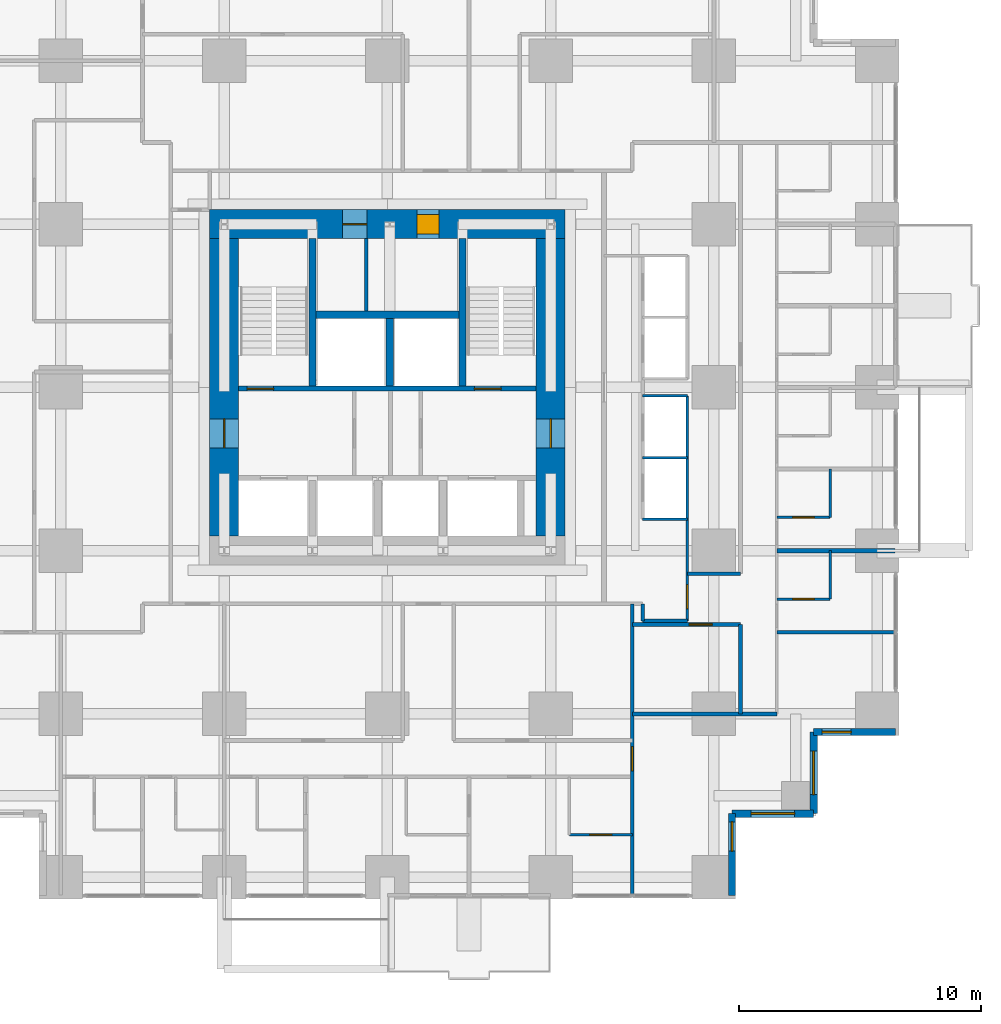
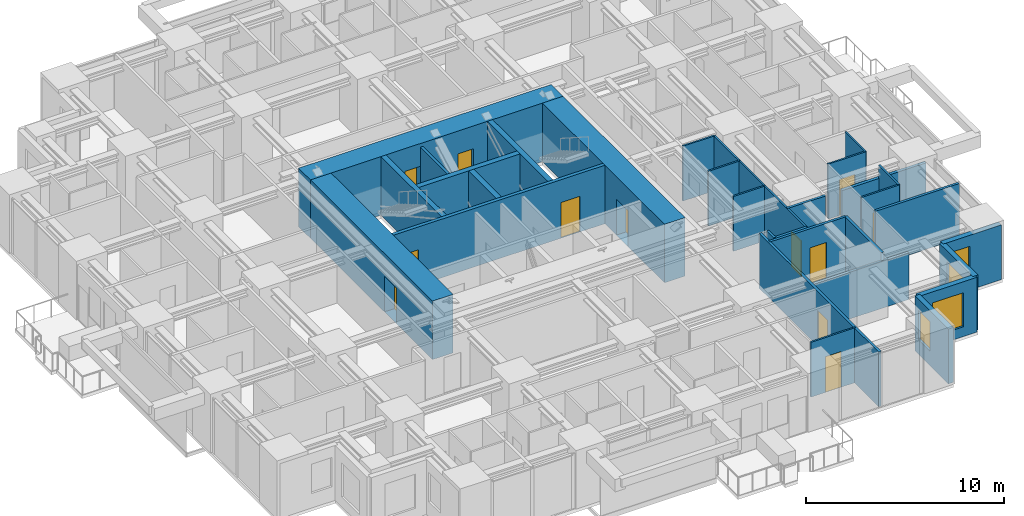
# One storey, part 10 of 14: 31 walls, 12 doors, 4 windows, 16 openings.
"""IFC4 building model written with IfcOpenShell, lengths in metres."""

from ifc_helpers import new_model, si_unit, direction, frame, frame_2d, origin, place, context, subcontext, project, spatial, rectangle, extrude, material, layer, layer_set, type_object, element, fill, save


model = new_model("IFC4")

# Units and contexts
model_context = context("Model", 3, precision=1e-05, world=origin(), true_north=direction((0.0, 1.0)))
body_context = subcontext(model_context, "Body", "Model", "MODEL_VIEW")
ifc_project = project(units=[si_unit("LENGTHUNIT", "METRE"), si_unit("AREAUNIT", "SQUARE_METRE"), si_unit("VOLUMEUNIT", "CUBIC_METRE"), si_unit("PLANEANGLEUNIT", "RADIAN"), si_unit("MASSUNIT", "GRAM", prefix="KILO")], contexts=[model_context])

# Site, building, storey
site_placement = place(None, origin())
site = spatial("IfcSite", under=ifc_project, at=site_placement, CompositionType="ELEMENT")
building_placement = place(site_placement, origin())
building = spatial("IfcBuilding", under=site, at=building_placement, Name="Nyansa Garden Tower", CompositionType="ELEMENT")
storey_placement = place(building_placement, frame((0.0, 0.0, 50.39990234375)))
storey = spatial("IfcBuildingStorey", under=building, at=storey_placement, Name="L13", CompositionType="ELEMENT", Elevation=50.39990234375)

# Wall
ifc_material_1 = material(Name="Dense blockwork, plastered both sides, 55 dB", Category="masonry")
ifc_layer_1 = layer(ifc_material_1, 0.175048828125)
ifc_layer_set_1 = layer_set([ifc_layer_1], Name="Acoustic party wall PW175")
wall_type_1 = type_object("IfcWallType", Name="Acoustic party wall PW175", PredefinedType="PARTITIONING", material=ifc_layer_set_1)
wall_1_placement = place(storey_placement, frame((36.35009765625, 13.5, 0.0), z_axis=(0.0, 0.0, 1.0), x_axis=(1.0, 0.0, 0.0)))
element("IfcWall", 1, at=wall_1_placement, inside=storey, type_object=wall_type_1, Name="Party wall", PredefinedType="PARTITIONING", context=body_context, shape_type="SweptSolid", body=[
    extrude(rectangle(XDim=4.8837890625, YDim=0.175048828125, at=frame_2d((2.44189453125, 0.0))), origin(), (0.0, 0.0, 1.0), 2.610107421875),
])

# Wall, openings, doors
ifc_material_2 = material(Name="Concrete C70/85", Category="concrete")
ifc_layer_2 = layer(ifc_material_2, 0.199951171875)
ifc_layer_set_2 = layer_set([ifc_layer_2], Name="Core inner wall CI200")
wall_type_2 = type_object("IfcWallType", Name="Core inner wall CI200", PredefinedType="SHEAR", material=ifc_layer_set_2)
wall_2_placement = place(storey_placement, frame((14.10009765625, 20.199951171875, 0.0), z_axis=(0.0, 0.0, 1.0), x_axis=(1.0, 0.0, 0.0)))
wall_2 = element("IfcWall", 2, at=wall_2_placement, inside=storey, type_object=wall_type_2, Name="Core inner wall L13", PredefinedType="SHEAR", context=body_context, shape_type="SweptSolid", body=[
    extrude(rectangle(XDim=12.2998046875, YDim=0.199951171875, at=frame_2d((6.14990234375, 0.0))), origin(), (0.0, 0.0, 1.0), 3.60009765625),
])
opening_1_placement = place(wall_2_placement, frame((0.35009765625, 0.0, 0.0)))
opening_1 = element("IfcOpeningElement", 3, at=opening_1_placement, cuts=wall_2, Name="Opening D05", PredefinedType="OPENING", context=body_context, shape_type="SweptSolid", body=[
    extrude(rectangle(XDim=1.10009765625, YDim=2.199951171875, at=frame_2d((0.550048828125, 1.10009765625))), frame((0.0, 0.10986328125, 0.0), z_axis=(0.0, -1.0, 0.0), x_axis=(1.0, 0.0, 0.0)), (0.0, 0.0, 1.0), 0.219970703125),
])
opening_2_placement = place(wall_2_placement, frame((9.75, 0.0, 0.0)))
opening_2 = element("IfcOpeningElement", 4, at=opening_2_placement, cuts=wall_2, Name="Opening D05", PredefinedType="OPENING", context=body_context, shape_type="SweptSolid", body=[
    extrude(rectangle(XDim=1.10009765625, YDim=2.199951171875, at=frame_2d((0.550048828125, 1.10009765625))), frame((0.0, 0.10986328125, 0.0), z_axis=(0.0, -1.0, 0.0), x_axis=(1.0, 0.0, 0.0)), (0.0, 0.0, 1.0), 0.219970703125),
])
ifc_material_3 = material(Name="Steel door, 120 minute fire resisting", Category="steel")
door_type_1 = type_object("IfcDoorType", Name="Stair door D05 1100x2200", OperationType="SINGLE_SWING_LEFT", PredefinedType="DOOR", material=ifc_material_3)
door_1_placement = place(opening_1_placement, origin())
door_1 = element("IfcDoor", 5, at=door_1_placement, inside=storey, type_object=door_type_1, Name="Stair S1 door", OperationType="SINGLE_SWING_LEFT", OverallHeight=2.199951171875, OverallWidth=1.10009765625, PredefinedType="DOOR", context=body_context, shape_type="SweptSolid", body=[
    extrude(rectangle(XDim=1.10009765625, YDim=2.199951171875, at=frame_2d((0.550048828125, 1.10009765625))), frame((0.0, 0.02490234375, 0.0), z_axis=(0.0, -1.0, 0.0), x_axis=(1.0, 0.0, 0.0)), (0.0, 0.0, 1.0), 0.050048828125),
])
fill(opening_1, door_1)
door_2_placement = place(opening_2_placement, origin())
door_2 = element("IfcDoor", 6, at=door_2_placement, inside=storey, type_object=door_type_1, Name="Stair S2 door", OperationType="SINGLE_SWING_LEFT", OverallHeight=2.199951171875, OverallWidth=1.10009765625, PredefinedType="DOOR", context=body_context, shape_type="SweptSolid", body=[
    extrude(rectangle(XDim=1.10009765625, YDim=2.199951171875, at=frame_2d((0.550048828125, 1.10009765625))), frame((0.0, 0.02490234375, 0.0), z_axis=(0.0, -1.0, 0.0), x_axis=(1.0, 0.0, 0.0)), (0.0, 0.0, 1.0), 0.050048828125),
])
fill(opening_2, door_2)

# Walls
ifc_material_4 = material(Name="Concrete C70/85", Category="concrete")
ifc_layer_3 = layer(ifc_material_4, 0.300048828125)
ifc_layer_set_3 = layer_set([ifc_layer_3], Name="Core inner wall CI300")
wall_type_3 = type_object("IfcWallType", Name="Core inner wall CI300", PredefinedType="SHEAR", material=ifc_layer_set_3)
for number, where, z_axis, x_axis, name in (
    (7, (17.14990234375, 20.300048828125, 0.0), (0.0, 0.0, 1.0), (0.0, 1.0, 0.0), "Core inner wall L13"),
    (8, (23.35009765625, 20.300048828125, 0.0), (0.0, 0.0, 1.0), (0.0, 1.0, 0.0), "Core inner wall L13"),
):
    element("IfcWall", number, at=place(storey_placement, frame(where, z_axis=z_axis, x_axis=x_axis)), inside=storey, type_object=wall_type_3, Name=name, PredefinedType="SHEAR", context=body_context, shape_type="SweptSolid", body=[
        extrude(rectangle(XDim=6.099853515625, YDim=0.300048828125, at=frame_2d((3.0498046875, 0.0))), origin(), (0.0, 0.0, 1.0), 3.60009765625),
    ])
wall_3_placement = place(storey_placement, frame((20.35009765625, 20.300048828125, 0.0), z_axis=(0.0, 0.0, 1.0), x_axis=(0.0, 1.0, 0.0)))
element("IfcWall", 9, at=wall_3_placement, inside=storey, type_object=wall_type_3, Name="Core inner wall L13", PredefinedType="SHEAR", context=body_context, shape_type="SweptSolid", body=[
    extrude(rectangle(XDim=2.800048828125, YDim=0.300048828125, at=frame_2d((1.39990234375, 0.0))), origin(), (0.0, 0.0, 1.0), 3.60009765625),
])
wall_4_placement = place(storey_placement, frame((17.300048828125, 23.25, 0.0), z_axis=(0.0, 0.0, 1.0), x_axis=(1.0, 0.0, 0.0)))
element("IfcWall", 10, at=wall_4_placement, inside=storey, type_object=wall_type_3, Name="Core inner wall L13", PredefinedType="SHEAR", context=body_context, shape_type="SweptSolid", body=[
    extrude(rectangle(XDim=5.89990234375, YDim=0.300048828125, at=frame_2d((2.949951171875, 0.0))), origin(), (0.0, 0.0, 1.0), 3.60009765625),
])

# Wall, opening, door
ifc_material_5 = material(Name="Concrete C80/95", Category="concrete")
ifc_layer_4 = layer(ifc_material_5, 1.199951171875)
ifc_layer_set_4 = layer_set([ifc_layer_4], Name="Core wall CW1200")
wall_type_4 = type_object("IfcWallType", Name="Core wall CW1200", PredefinedType="SHEAR", material=ifc_layer_set_4)
wall_5_placement = place(storey_placement, frame((27.0, 14.10009765625, 0.0), z_axis=(0.0, 0.0, 1.0), x_axis=(0.0, 1.0, 0.0)))
wall_5 = element("IfcWall", 11, at=wall_5_placement, inside=storey, type_object=wall_type_4, Name="Core wall E L13", PredefinedType="SHEAR", context=body_context, shape_type="SweptSolid", body=[
    extrude(rectangle(XDim=12.2998046875, YDim=1.199951171875, at=frame_2d((6.14990234375, 0.0))), origin(), (0.0, 0.0, 1.0), 3.60009765625),
])
opening_3_placement = place(wall_5_placement, frame((3.64990234375, 0.0, 0.0)))
opening_3 = element("IfcOpeningElement", 12, at=opening_3_placement, cuts=wall_5, Name="Opening D06", PredefinedType="OPENING", context=body_context, shape_type="SweptSolid", body=[
    extrude(rectangle(XDim=1.199951171875, YDim=2.199951171875, at=frame_2d((0.60009765625, 1.10009765625))), frame((0.0, 0.60986328125, 0.0), z_axis=(0.0, -1.0, 0.0), x_axis=(1.0, 0.0, 0.0)), (0.0, 0.0, 1.0), 1.219970703125),
])
ifc_material_6 = material(Name="Steel door, 120 minute fire resisting", Category="steel")
door_type_2 = type_object("IfcDoorType", Name="Lobby door D06 1200x2200", OperationType="DOUBLE_DOOR_SINGLE_SWING", PredefinedType="DOOR", material=ifc_material_6)
door_3_placement = place(opening_3_placement, origin())
door_3 = element("IfcDoor", 13, at=door_3_placement, inside=storey, type_object=door_type_2, Name="Lift lobby door east", OperationType="DOUBLE_DOOR_SINGLE_SWING", OverallHeight=2.199951171875, OverallWidth=1.199951171875, PredefinedType="DOOR", context=body_context, shape_type="SweptSolid", body=[
    extrude(rectangle(XDim=1.199951171875, YDim=2.199951171875, at=frame_2d((0.60009765625, 1.10009765625))), frame((0.0, 0.02490234375, 0.0), z_axis=(0.0, -1.0, 0.0), x_axis=(1.0, 0.0, 0.0)), (0.0, 0.0, 1.0), 0.050048828125),
])
fill(opening_3, door_3)

# Wall, openings, doors
wall_6_placement = place(storey_placement, frame((27.60009765625, 27.0, 0.0), z_axis=(0.0, 0.0, 1.0), x_axis=(-1.0, 0.0, 0.0)))
wall_6 = element("IfcWall", 14, at=wall_6_placement, inside=storey, type_object=wall_type_4, Name="Core wall N L13", PredefinedType="SHEAR", context=body_context, shape_type="SweptSolid", body=[
    extrude(rectangle(XDim=14.7001953125, YDim=1.199951171875, at=frame_2d((7.35009765625, 0.0))), origin(), (0.0, 0.0, 1.0), 3.60009765625),
])
opening_4_placement = place(wall_6_placement, frame((5.22509765625, 0.0, 0.0)))
opening_4 = element("IfcOpeningElement", 15, at=opening_4_placement, cuts=wall_6, Name="Opening D15", PredefinedType="OPENING", context=body_context, shape_type="SweptSolid", body=[
    extrude(rectangle(XDim=0.89990234375, YDim=2.199951171875, at=frame_2d((0.449951171875, 1.10009765625))), frame((0.0, 0.60986328125, 0.0), z_axis=(0.0, -1.0, 0.0), x_axis=(1.0, 0.0, 0.0)), (0.0, 0.0, 1.0), 1.219970703125),
])
opening_5_placement = place(wall_6_placement, frame((8.199951171875, 0.0, 0.0)))
opening_5 = element("IfcOpeningElement", 16, at=opening_5_placement, cuts=wall_6, Name="Opening D07", PredefinedType="OPENING", context=body_context, shape_type="SweptSolid", body=[
    extrude(rectangle(XDim=1.0, YDim=2.199951171875, at=frame_2d((0.5, 1.10009765625))), frame((0.0, 0.60986328125, 0.0), z_axis=(0.0, -1.0, 0.0), x_axis=(1.0, 0.0, 0.0)), (0.0, 0.0, 1.0), 1.219970703125),
])
ifc_material_7 = material(Name="Timber flush door, 60 minute fire resisting, self-closing", Category="wood")
door_type_3 = type_object("IfcDoorType", Name="Core room door D15 900x2200", OperationType="SINGLE_SWING_LEFT", PredefinedType="DOOR", material=ifc_material_7)
door_4_placement = place(opening_4_placement, origin())
door_4 = element("IfcDoor", 17, at=door_4_placement, inside=storey, type_object=door_type_3, Name="Core room door", OperationType="SINGLE_SWING_LEFT", OverallHeight=2.199951171875, OverallWidth=0.89990234375, PredefinedType="DOOR", context=body_context, shape_type="SweptSolid", body=[
    extrude(rectangle(XDim=0.89990234375, YDim=2.199951171875, at=frame_2d((0.449951171875, 1.10009765625))), frame((0.0, 0.39990234375, 0.0), z_axis=(0.0, -1.0, 0.0), x_axis=(1.0, 0.0, 0.0)), (0.0, 0.0, 1.0), 0.800048828125),
])
fill(opening_4, door_4)
ifc_material_8 = material(Name="Steel door, 120 minute fire resisting", Category="steel")
door_type_4 = type_object("IfcDoorType", Name="Riser door D07 1000x2200", OperationType="SINGLE_SWING_LEFT", PredefinedType="DOOR", material=ifc_material_8)
door_5_placement = place(opening_5_placement, origin())
door_5 = element("IfcDoor", 18, at=door_5_placement, inside=storey, type_object=door_type_4, Name="Riser and refuse room door", OperationType="SINGLE_SWING_LEFT", OverallHeight=2.199951171875, OverallWidth=1.0, PredefinedType="DOOR", context=body_context, shape_type="SweptSolid", body=[
    extrude(rectangle(XDim=1.0, YDim=2.199951171875, at=frame_2d((0.5, 1.10009765625))), frame((0.0, 0.02490234375, 0.0), z_axis=(0.0, -1.0, 0.0), x_axis=(1.0, 0.0, 0.0)), (0.0, 0.0, 1.0), 0.050048828125),
])
fill(opening_5, door_5)

# Wall, opening, door
wall_7_placement = place(storey_placement, frame((13.5, 26.39990234375, 0.0), z_axis=(0.0, 0.0, 1.0), x_axis=(0.0, -1.0, 0.0)))
wall_7 = element("IfcWall", 19, at=wall_7_placement, inside=storey, type_object=wall_type_4, Name="Core wall W L13", PredefinedType="SHEAR", context=body_context, shape_type="SweptSolid", body=[
    extrude(rectangle(XDim=12.2998046875, YDim=1.199951171875, at=frame_2d((6.14990234375, 0.0))), origin(), (0.0, 0.0, 1.0), 3.60009765625),
])
opening_6_placement = place(wall_7_placement, frame((7.449951171875, 0.0, 0.0)))
opening_6 = element("IfcOpeningElement", 20, at=opening_6_placement, cuts=wall_7, Name="Opening D06", PredefinedType="OPENING", context=body_context, shape_type="SweptSolid", body=[
    extrude(rectangle(XDim=1.199951171875, YDim=2.199951171875, at=frame_2d((0.60009765625, 1.10009765625))), frame((0.0, 0.60986328125, 0.0), z_axis=(0.0, -1.0, 0.0), x_axis=(1.0, 0.0, 0.0)), (0.0, 0.0, 1.0), 1.219970703125),
])
door_6_placement = place(opening_6_placement, origin())
door_6 = element("IfcDoor", 21, at=door_6_placement, inside=storey, type_object=door_type_2, Name="Lift lobby door west", OperationType="DOUBLE_DOOR_SINGLE_SWING", OverallHeight=2.199951171875, OverallWidth=1.199951171875, PredefinedType="DOOR", context=body_context, shape_type="SweptSolid", body=[
    extrude(rectangle(XDim=1.199951171875, YDim=2.199951171875, at=frame_2d((0.60009765625, 1.10009765625))), frame((0.0, 0.02490234375, 0.0), z_axis=(0.0, -1.0, 0.0), x_axis=(1.0, 0.0, 0.0)), (0.0, 0.0, 1.0), 0.050048828125),
])
fill(opening_6, door_6)

# Walls
ifc_material_9 = material(Name="Steel-stud shaft wall, two layers fire-rated board, EI 120", Category="steel")
ifc_layer_5 = layer(ifc_material_9, 0.10009765625)
ifc_layer_set_5 = layer_set([ifc_layer_5], Name="Lift shaft wall SW100")
wall_type_5 = type_object("IfcWallType", Name="Lift shaft wall SW100", PredefinedType="SHEAR", material=ifc_layer_set_5)
for number, where, z_axis, x_axis, name in (
    (22, (30.800048828125, 14.800048828125, 0.0), (0.0, 0.0, 1.0), (1.0, 0.0, 0.0), "Lift shaft wall"),
    (23, (30.800048828125, 17.35009765625, 0.0), (0.0, 0.0, 1.0), (1.0, 0.0, 0.0), "Lift shaft wall"),
    (24, (30.800048828125, 19.89990234375, 0.0), (0.0, 0.0, 1.0), (1.0, 0.0, 0.0), "Lift shaft wall"),
):
    element("IfcWall", number, at=place(storey_placement, frame(where, z_axis=z_axis, x_axis=x_axis)), inside=storey, type_object=wall_type_5, Name=name, PredefinedType="SHEAR", context=body_context, shape_type="SweptSolid", body=[
        extrude(rectangle(XDim=1.849853515625, YDim=0.10009765625, at=frame_2d((0.9248046875, 0.0))), origin(), (0.0, 0.0, 1.0), 3.375),
    ])

# Wall, opening, door
wall_8_placement = place(storey_placement, frame((32.64990234375, 10.60009765625, 0.0), z_axis=(0.0, 0.0, 1.0), x_axis=(0.0, 1.0, 0.0)))
wall_8 = element("IfcWall", 25, at=wall_8_placement, inside=storey, type_object=wall_type_5, Name="Lift shaft wall", PredefinedType="SHEAR", context=body_context, shape_type="SweptSolid", body=[
    extrude(rectangle(XDim=9.2998046875, YDim=0.10009765625, at=frame_2d((4.64990234375, 0.0))), origin(), (0.0, 0.0, 1.0), 3.375),
])
opening_7_placement = place(wall_8_placement, frame((0.5, 0.0, 0.0)))
opening_7 = element("IfcOpeningElement", 26, at=opening_7_placement, cuts=wall_8, Name="Opening D03", PredefinedType="OPENING", context=body_context, shape_type="SweptSolid", body=[
    extrude(rectangle(XDim=1.0, YDim=2.199951171875, at=frame_2d((0.5, 1.10009765625))), frame((0.0, 0.06005859375, 0.0), z_axis=(0.0, -1.0, 0.0), x_axis=(1.0, 0.0, 0.0)), (0.0, 0.0, 1.0), 0.1201171875),
])
ifc_material_10 = material(Name="Timber flush door, 60 minute fire resisting", Category="wood")
door_type_5 = type_object("IfcDoorType", Name="Cluster entrance door D03 1000x2200", OperationType="SINGLE_SWING_LEFT", PredefinedType="DOOR", material=ifc_material_10)
door_7_placement = place(opening_7_placement, origin())
door_7 = element("IfcDoor", 27, at=door_7_placement, inside=storey, type_object=door_type_5, Name="Door L13-046", OperationType="SINGLE_SWING_LEFT", OverallHeight=2.199951171875, OverallWidth=1.0, PredefinedType="DOOR", context=body_context, shape_type="SweptSolid", body=[
    extrude(rectangle(XDim=1.0, YDim=2.199951171875, at=frame_2d((0.5, 1.10009765625))), frame((0.0, 0.02490234375, 0.0), z_axis=(0.0, -1.0, 0.0), x_axis=(1.0, 0.0, 0.0)), (0.0, 0.0, 1.0), 0.050048828125),
])
fill(opening_7, door_7)

# Wall
ifc_material_11 = material(Name="Blockwork, plastered both sides", Category="masonry")
ifc_layer_6 = layer(ifc_material_11, 0.14990234375)
ifc_layer_set_6 = layer_set([ifc_layer_6], Name="Partition PW150")
wall_type_6 = type_object("IfcWallType", Name="Partition PW150", PredefinedType="PARTITIONING", material=ifc_layer_set_6)
wall_9_placement = place(storey_placement, frame((19.375, 23.39990234375, 0.0), z_axis=(0.0, 0.0, 1.0), x_axis=(0.0, 1.0, 0.0)))
element("IfcWall", 28, at=wall_9_placement, inside=storey, type_object=wall_type_6, Name="Partition", PredefinedType="PARTITIONING", context=body_context, shape_type="SweptSolid", body=[
    extrude(rectangle(XDim=3.0, YDim=0.14990234375, at=frame_2d((1.5, 0.0))), origin(), (0.0, 0.0, 1.0), 3.375),
])

# Wall, opening, door
wall_10_placement = place(storey_placement, frame((30.375, -0.73388671875, 0.0), z_axis=(0.0, 0.0, 1.0), x_axis=(0.0, 1.0, 0.0)))
wall_10 = element("IfcWall", 29, at=wall_10_placement, inside=storey, type_object=wall_type_6, Name="Partition", PredefinedType="PARTITIONING", context=body_context, shape_type="SweptSolid", body=[
    extrude(rectangle(XDim=12.033935546875, YDim=0.14990234375, at=frame_2d((6.01708984375, 0.0))), origin(), (0.0, 0.0, 1.0), 3.375),
])
opening_8_placement = place(wall_10_placement, frame((5.134033203125, 0.0, 0.0)))
opening_8 = element("IfcOpeningElement", 30, at=opening_8_placement, cuts=wall_10, Name="Opening D03", PredefinedType="OPENING", context=body_context, shape_type="SweptSolid", body=[
    extrude(rectangle(XDim=1.0, YDim=2.199951171875, at=frame_2d((0.5, 1.10009765625))), frame((0.0, 0.0849609375, 0.0), z_axis=(0.0, -1.0, 0.0), x_axis=(1.0, 0.0, 0.0)), (0.0, 0.0, 1.0), 0.169921875),
])
door_8_placement = place(opening_8_placement, origin())
door_8 = element("IfcDoor", 31, at=door_8_placement, inside=storey, type_object=door_type_5, Name="Door L13-033", OperationType="SINGLE_SWING_LEFT", OverallHeight=2.199951171875, OverallWidth=1.0, PredefinedType="DOOR", context=body_context, shape_type="SweptSolid", body=[
    extrude(rectangle(XDim=1.0, YDim=2.199951171875, at=frame_2d((0.5, 1.10009765625))), frame((0.0, 0.02490234375, 0.0), z_axis=(0.0, -1.0, 0.0), x_axis=(1.0, 0.0, 0.0)), (0.0, 0.0, 1.0), 0.050048828125),
])
fill(opening_8, door_8)

# Wall
wall_11_placement = place(storey_placement, frame((30.375, 6.75, 0.0), z_axis=(0.0, 0.0, 1.0), x_axis=(1.0, 0.0, 0.0)))
element("IfcWall", 32, at=wall_11_placement, inside=storey, type_object=wall_type_6, Name="Partition", PredefinedType="PARTITIONING", context=body_context, shape_type="SweptSolid", body=[
    extrude(rectangle(XDim=5.97509765625, YDim=0.14990234375, at=frame_2d((2.987548828125, 0.0))), origin(), (0.0, 0.0, 1.0), 2.877197265625),
])

# Wall, opening, door
wall_12_placement = place(storey_placement, frame((30.375, 10.449951171875, 0.0), z_axis=(0.0, 0.0, 1.0), x_axis=(1.0, 0.0, 0.0)))
wall_12 = element("IfcWall", 33, at=wall_12_placement, inside=storey, type_object=wall_type_6, Name="Partition", PredefinedType="PARTITIONING", context=body_context, shape_type="SweptSolid", body=[
    extrude(rectangle(XDim=4.47509765625, YDim=0.14990234375, at=frame_2d((2.237548828125, 0.0))), origin(), (0.0, 0.0, 1.0), 3.375),
])
opening_9_placement = place(wall_12_placement, frame((2.35009765625, 0.0, 0.0)))
opening_9 = element("IfcOpeningElement", 34, at=opening_9_placement, cuts=wall_12, Name="Opening D01", PredefinedType="OPENING", context=body_context, shape_type="SweptSolid", body=[
    extrude(rectangle(XDim=0.949951171875, YDim=2.199951171875, at=frame_2d((0.47509765625, 1.10009765625))), frame((0.0, 0.0849609375, 0.0), z_axis=(0.0, -1.0, 0.0), x_axis=(1.0, 0.0, 0.0)), (0.0, 0.0, 1.0), 0.169921875),
])
ifc_material_12 = material(Name="Timber flush door, 30 minute fire resisting", Category="wood")
door_type_6 = type_object("IfcDoorType", Name="Bedroom door D01 950x2200", OperationType="SINGLE_SWING_LEFT", PredefinedType="DOOR", material=ifc_material_12)
door_9_placement = place(opening_9_placement, origin())
door_9 = element("IfcDoor", 35, at=door_9_placement, inside=storey, type_object=door_type_6, Name="Door L13-048", OperationType="SINGLE_SWING_LEFT", OverallHeight=2.199951171875, OverallWidth=0.949951171875, PredefinedType="DOOR", context=body_context, shape_type="SweptSolid", body=[
    extrude(rectangle(XDim=0.949951171875, YDim=2.199951171875, at=frame_2d((0.47509765625, 1.10009765625))), frame((0.0, 0.02490234375, 0.0), z_axis=(0.0, -1.0, 0.0), x_axis=(1.0, 0.0, 0.0)), (0.0, 0.0, 1.0), 0.050048828125),
])
fill(opening_9, door_9)

# Walls
wall_13_placement = place(storey_placement, frame((30.800048828125, 10.60009765625, 0.0), z_axis=(0.0, 0.0, 1.0), x_axis=(0.0, 1.0, 0.0)))
element("IfcWall", 36, at=wall_13_placement, inside=storey, type_object=wall_type_6, Name="Partition", PredefinedType="PARTITIONING", context=body_context, shape_type="SweptSolid", body=[
    extrude(rectangle(XDim=0.699951171875, YDim=0.14990234375, at=frame_2d((0.35009765625, 0.0))), origin(), (0.0, 0.0, 1.0), 3.375),
])
wall_14_placement = place(storey_placement, frame((30.800048828125, 10.60009765625, 0.0), z_axis=(0.0, 0.0, 1.0), x_axis=(1.0, 0.0, 0.0)))
element("IfcWall", 37, at=wall_14_placement, inside=storey, type_object=wall_type_6, Name="Partition", PredefinedType="PARTITIONING", context=body_context, shape_type="SweptSolid", body=[
    extrude(rectangle(XDim=1.849853515625, YDim=0.14990234375, at=frame_2d((0.9248046875, 0.0))), origin(), (0.0, 0.0, 1.0), 3.375),
])
wall_15_placement = place(storey_placement, frame((32.64990234375, 12.550048828125, 0.0), z_axis=(0.0, 0.0, 1.0), x_axis=(1.0, 0.0, 0.0)))
element("IfcWall", 38, at=wall_15_placement, inside=storey, type_object=wall_type_6, Name="Partition", PredefinedType="PARTITIONING", context=body_context, shape_type="SweptSolid", body=[
    extrude(rectangle(XDim=2.2001953125, YDim=0.14990234375, at=frame_2d((1.10009765625, 0.0))), origin(), (0.0, 0.0, 1.0), 3.375),
])
wall_16_placement = place(storey_placement, frame((34.85009765625, 6.75, 0.0), z_axis=(0.0, 0.0, 1.0), x_axis=(0.0, 1.0, 0.0)))
element("IfcWall", 39, at=wall_16_placement, inside=storey, type_object=wall_type_6, Name="Partition", PredefinedType="PARTITIONING", context=body_context, shape_type="SweptSolid", body=[
    extrude(rectangle(XDim=3.699951171875, YDim=0.14990234375, at=frame_2d((1.85009765625, 0.0))), origin(), (0.0, 0.0, 1.0), 3.375),
])
wall_17_placement = place(storey_placement, frame((36.35009765625, 10.125, 0.0), z_axis=(0.0, 0.0, 1.0), x_axis=(1.0, 0.0, 0.0)))
element("IfcWall", 40, at=wall_17_placement, inside=storey, type_object=wall_type_6, Name="Partition", PredefinedType="PARTITIONING", context=body_context, shape_type="SweptSolid", body=[
    extrude(rectangle(XDim=4.8837890625, YDim=0.14990234375, at=frame_2d((2.44189453125, 0.0))), origin(), (0.0, 0.0, 1.0), 3.375),
])

# Wall, opening, window
ifc_material_13 = material(Name="Turquoise glazed tile on concrete blockwork", Category="masonry")
ifc_layer_7 = layer(ifc_material_13, 0.300048828125)
ifc_layer_set_7 = layer_set([ifc_layer_7], Name="Tiled corner wall TW300")
wall_type_7 = type_object("IfcWallType", Name="Tiled corner wall TW300", PredefinedType="SOLIDWALL", material=ifc_layer_set_7)
wall_18_placement = place(storey_placement, frame((34.5, -0.75, 0.0), z_axis=(0.0, 0.0, 1.0), x_axis=(0.0, 1.0, 0.0)))
wall_18 = element("IfcWall", 41, at=wall_18_placement, inside=storey, type_object=wall_type_7, Name="Tiled corner wall L13", PredefinedType="SOLIDWALL", context=body_context, shape_type="SweptSolid", body=[
    extrude(rectangle(XDim=3.375, YDim=0.300048828125, at=frame_2d((1.6875, 0.0))), origin(), (0.0, 0.0, 1.0), 3.375),
])
opening_10_placement = place(wall_18_placement, frame((1.83251953125, 0.0, 0.89990234375)))
opening_10 = element("IfcOpeningElement", 42, at=opening_10_placement, cuts=wall_18, Name="Opening W4", PredefinedType="OPENING", context=body_context, shape_type="SweptSolid", body=[
    extrude(rectangle(XDim=1.199951171875, YDim=1.800048828125, at=frame_2d((0.60009765625, 0.89990234375))), frame((0.0, 0.159912109375, 0.0), z_axis=(0.0, -1.0, 0.0), x_axis=(1.0, 0.0, 0.0)), (0.0, 0.0, 1.0), 0.320068359375),
])
ifc_material_14 = material(Name="Black aluminium frame, dark tinted double glazing", Category="aluminium")
window_type_1 = type_object("IfcWindowType", Name="Window W4 1200x1800", PartitioningType="SINGLE_PANEL", PredefinedType="WINDOW", material=ifc_material_14)
window_1_placement = place(opening_10_placement, origin())
window_1 = element("IfcWindow", 43, at=window_1_placement, inside=storey, type_object=window_type_1, Name="Corner window L13", OverallHeight=1.800048828125, OverallWidth=1.199951171875, PartitioningType="SINGLE_PANEL", PredefinedType="WINDOW", context=body_context, shape_type="SweptSolid", body=[
    extrude(rectangle(XDim=1.199951171875, YDim=1.800048828125, at=frame_2d((0.60009765625, 0.89990234375))), frame((0.0, 0.030029296875, 0.0), z_axis=(0.0, -1.0, 0.0), x_axis=(1.0, 0.0, 0.0)), (0.0, 0.0, 1.0), 0.06005859375),
])
fill(opening_10, window_1)

wall_19_placement = place(storey_placement, frame((34.5, 2.625, 0.0), z_axis=(0.0, 0.0, 1.0), x_axis=(1.0, 0.0, 0.0)))
wall_19 = element("IfcWall", 44, at=wall_19_placement, inside=storey, type_object=wall_type_7, Name="Tiled corner wall L13", PredefinedType="SOLIDWALL", context=body_context, shape_type="SweptSolid", body=[
    extrude(rectangle(XDim=3.375, YDim=0.300048828125, at=frame_2d((1.6875, 0.0))), origin(), (0.0, 0.0, 1.0), 3.375),
])
opening_11_placement = place(wall_19_placement, frame((0.78759765625, 0.0, 0.60009765625)))
opening_11 = element("IfcOpeningElement", 45, at=opening_11_placement, cuts=wall_19, Name="Opening W2", PredefinedType="OPENING", context=body_context, shape_type="SweptSolid", body=[
    extrude(rectangle(XDim=1.800048828125, YDim=2.10009765625, at=frame_2d((0.89990234375, 1.050048828125))), frame((0.0, 0.159912109375, 0.0), z_axis=(0.0, -1.0, 0.0), x_axis=(1.0, 0.0, 0.0)), (0.0, 0.0, 1.0), 0.320068359375),
])
ifc_material_15 = material(Name="Black aluminium frame, dark tinted double glazing", Category="aluminium")
window_type_2 = type_object("IfcWindowType", Name="Window W2 1800x2100", PartitioningType="SINGLE_PANEL", PredefinedType="WINDOW", material=ifc_material_15)
window_2_placement = place(opening_11_placement, origin())
window_2 = element("IfcWindow", 46, at=window_2_placement, inside=storey, type_object=window_type_2, Name="Corner window L13", OverallHeight=2.10009765625, OverallWidth=1.800048828125, PartitioningType="SINGLE_PANEL", PredefinedType="WINDOW", context=body_context, shape_type="SweptSolid", body=[
    extrude(rectangle(XDim=1.800048828125, YDim=2.10009765625, at=frame_2d((0.89990234375, 1.050048828125))), frame((0.0, 0.030029296875, 0.0), z_axis=(0.0, -1.0, 0.0), x_axis=(1.0, 0.0, 0.0)), (0.0, 0.0, 1.0), 0.06005859375),
])
fill(opening_11, window_2)

wall_20_placement = place(storey_placement, frame((37.875, 2.625, 0.0), z_axis=(0.0, 0.0, 1.0), x_axis=(0.0, 1.0, 0.0)))
wall_20 = element("IfcWall", 47, at=wall_20_placement, inside=storey, type_object=wall_type_7, Name="Tiled corner wall L13", PredefinedType="SOLIDWALL", context=body_context, shape_type="SweptSolid", body=[
    extrude(rectangle(XDim=3.375, YDim=0.300048828125, at=frame_2d((1.6875, 0.0))), origin(), (0.0, 0.0, 1.0), 3.375),
])
opening_12_placement = place(wall_20_placement, frame((0.78759765625, 0.0, 0.60009765625)))
opening_12 = element("IfcOpeningElement", 48, at=opening_12_placement, cuts=wall_20, Name="Opening W2", PredefinedType="OPENING", context=body_context, shape_type="SweptSolid", body=[
    extrude(rectangle(XDim=1.800048828125, YDim=2.10009765625, at=frame_2d((0.89990234375, 1.050048828125))), frame((0.0, 0.159912109375, 0.0), z_axis=(0.0, -1.0, 0.0), x_axis=(1.0, 0.0, 0.0)), (0.0, 0.0, 1.0), 0.320068359375),
])
window_3_placement = place(opening_12_placement, origin())
window_3 = element("IfcWindow", 49, at=window_3_placement, inside=storey, type_object=window_type_2, Name="Corner window L13", OverallHeight=2.10009765625, OverallWidth=1.800048828125, PartitioningType="SINGLE_PANEL", PredefinedType="WINDOW", context=body_context, shape_type="SweptSolid", body=[
    extrude(rectangle(XDim=1.800048828125, YDim=2.10009765625, at=frame_2d((0.89990234375, 1.050048828125))), frame((0.0, 0.030029296875, 0.0), z_axis=(0.0, -1.0, 0.0), x_axis=(1.0, 0.0, 0.0)), (0.0, 0.0, 1.0), 0.06005859375),
])
fill(opening_12, window_3)

wall_21_placement = place(storey_placement, frame((37.875, 6.0, 0.0), z_axis=(0.0, 0.0, 1.0), x_axis=(1.0, 0.0, 0.0)))
wall_21 = element("IfcWall", 50, at=wall_21_placement, inside=storey, type_object=wall_type_7, Name="Tiled corner wall L13", PredefinedType="SOLIDWALL", context=body_context, shape_type="SweptSolid", body=[
    extrude(rectangle(XDim=3.375, YDim=0.300048828125, at=frame_2d((1.6875, 0.0))), origin(), (0.0, 0.0, 1.0), 3.375),
])
opening_13_placement = place(wall_21_placement, frame((0.342529296875, 0.0, 0.89990234375)))
opening_13 = element("IfcOpeningElement", 51, at=opening_13_placement, cuts=wall_21, Name="Opening W4", PredefinedType="OPENING", context=body_context, shape_type="SweptSolid", body=[
    extrude(rectangle(XDim=1.199951171875, YDim=1.800048828125, at=frame_2d((0.60009765625, 0.89990234375))), frame((0.0, 0.159912109375, 0.0), z_axis=(0.0, -1.0, 0.0), x_axis=(1.0, 0.0, 0.0)), (0.0, 0.0, 1.0), 0.320068359375),
])
window_4_placement = place(opening_13_placement, origin())
window_4 = element("IfcWindow", 52, at=window_4_placement, inside=storey, type_object=window_type_1, Name="Corner window L13", OverallHeight=1.800048828125, OverallWidth=1.199951171875, PartitioningType="SINGLE_PANEL", PredefinedType="WINDOW", context=body_context, shape_type="SweptSolid", body=[
    extrude(rectangle(XDim=1.199951171875, YDim=1.800048828125, at=frame_2d((0.60009765625, 0.89990234375))), frame((0.0, 0.030029296875, 0.0), z_axis=(0.0, -1.0, 0.0), x_axis=(1.0, 0.0, 0.0)), (0.0, 0.0, 1.0), 0.06005859375),
])
fill(opening_13, window_4)

# Wall, opening, door
ifc_material_16 = material(Name="Moisture resistant board on steel studs, tiled", Category="steel")
ifc_layer_8 = layer(ifc_material_16, 0.10009765625)
ifc_layer_set_8 = layer_set([ifc_layer_8], Name="Wet wall PW100")
wall_type_8 = type_object("IfcWallType", Name="Wet wall PW100", PredefinedType="PARTITIONING", material=ifc_layer_set_8)
wall_22_placement = place(storey_placement, frame((27.77490234375, 1.75, 0.0), z_axis=(0.0, 0.0, 1.0), x_axis=(1.0, 0.0, 0.0)))
wall_22 = element("IfcWall", 53, at=wall_22_placement, inside=storey, type_object=wall_type_8, Name="Wet wall", PredefinedType="PARTITIONING", context=body_context, shape_type="SweptSolid", body=[
    extrude(rectangle(XDim=2.60009765625, YDim=0.10009765625, at=frame_2d((1.300048828125, 0.0))), origin(), (0.0, 0.0, 1.0), 3.375),
])
opening_14_placement = place(wall_22_placement, frame((0.85009765625, 0.0, 0.0)))
opening_14 = element("IfcOpeningElement", 54, at=opening_14_placement, cuts=wall_22, Name="Opening D02", PredefinedType="OPENING", context=body_context, shape_type="SweptSolid", body=[
    extrude(rectangle(XDim=0.89990234375, YDim=2.199951171875, at=frame_2d((0.449951171875, 1.10009765625))), frame((0.0, 0.06005859375, 0.0), z_axis=(0.0, -1.0, 0.0), x_axis=(1.0, 0.0, 0.0)), (0.0, 0.0, 1.0), 0.1201171875),
])
ifc_material_17 = material(Name="Timber flush door", Category="wood")
door_type_7 = type_object("IfcDoorType", Name="En-suite door D02 900x2200", OperationType="SINGLE_SWING_RIGHT", PredefinedType="DOOR", material=ifc_material_17)
door_10_placement = place(opening_14_placement, origin())
door_10 = element("IfcDoor", 55, at=door_10_placement, inside=storey, type_object=door_type_7, Name="Door L13-025", OperationType="SINGLE_SWING_RIGHT", OverallHeight=2.199951171875, OverallWidth=0.89990234375, PredefinedType="DOOR", context=body_context, shape_type="SweptSolid", body=[
    extrude(rectangle(XDim=0.89990234375, YDim=2.199951171875, at=frame_2d((0.449951171875, 1.10009765625))), frame((0.0, 0.02490234375, 0.0), z_axis=(0.0, -1.0, 0.0), x_axis=(1.0, 0.0, 0.0)), (0.0, 0.0, 1.0), 0.050048828125),
])
fill(opening_14, door_10)

wall_23_placement = place(storey_placement, frame((36.35009765625, 11.5, 0.0), z_axis=(0.0, 0.0, 1.0), x_axis=(1.0, 0.0, 0.0)))
wall_23 = element("IfcWall", 56, at=wall_23_placement, inside=storey, type_object=wall_type_8, Name="Wet wall", PredefinedType="PARTITIONING", context=body_context, shape_type="SweptSolid", body=[
    extrude(rectangle(XDim=2.199951171875, YDim=0.10009765625, at=frame_2d((1.10009765625, 0.0))), origin(), (0.0, 0.0, 1.0), 3.375),
])
opening_15_placement = place(wall_23_placement, frame((0.64990234375, 0.0, 0.0)))
opening_15 = element("IfcOpeningElement", 57, at=opening_15_placement, cuts=wall_23, Name="Opening D02", PredefinedType="OPENING", context=body_context, shape_type="SweptSolid", body=[
    extrude(rectangle(XDim=0.89990234375, YDim=2.199951171875, at=frame_2d((0.449951171875, 1.10009765625))), frame((0.0, 0.06005859375, 0.0), z_axis=(0.0, -1.0, 0.0), x_axis=(1.0, 0.0, 0.0)), (0.0, 0.0, 1.0), 0.1201171875),
])
door_11_placement = place(opening_15_placement, origin())
door_11 = element("IfcDoor", 58, at=door_11_placement, inside=storey, type_object=door_type_7, Name="Door L13-035", OperationType="SINGLE_SWING_RIGHT", OverallHeight=2.199951171875, OverallWidth=0.89990234375, PredefinedType="DOOR", context=body_context, shape_type="SweptSolid", body=[
    extrude(rectangle(XDim=0.89990234375, YDim=2.199951171875, at=frame_2d((0.449951171875, 1.10009765625))), frame((0.0, 0.02490234375, 0.0), z_axis=(0.0, -1.0, 0.0), x_axis=(1.0, 0.0, 0.0)), (0.0, 0.0, 1.0), 0.050048828125),
])
fill(opening_15, door_11)

wall_24_placement = place(storey_placement, frame((36.35009765625, 14.875, 0.0), z_axis=(0.0, 0.0, 1.0), x_axis=(1.0, 0.0, 0.0)))
wall_24 = element("IfcWall", 59, at=wall_24_placement, inside=storey, type_object=wall_type_8, Name="Wet wall", PredefinedType="PARTITIONING", context=body_context, shape_type="SweptSolid", body=[
    extrude(rectangle(XDim=2.199951171875, YDim=0.10009765625, at=frame_2d((1.10009765625, 0.0))), origin(), (0.0, 0.0, 1.0), 3.375),
])
opening_16_placement = place(wall_24_placement, frame((0.64990234375, 0.0, 0.0)))
opening_16 = element("IfcOpeningElement", 60, at=opening_16_placement, cuts=wall_24, Name="Opening D02", PredefinedType="OPENING", context=body_context, shape_type="SweptSolid", body=[
    extrude(rectangle(XDim=0.89990234375, YDim=2.199951171875, at=frame_2d((0.449951171875, 1.10009765625))), frame((0.0, 0.06005859375, 0.0), z_axis=(0.0, -1.0, 0.0), x_axis=(1.0, 0.0, 0.0)), (0.0, 0.0, 1.0), 0.1201171875),
])
door_12_placement = place(opening_16_placement, origin())
door_12 = element("IfcDoor", 61, at=door_12_placement, inside=storey, type_object=door_type_7, Name="Door L13-037", OperationType="SINGLE_SWING_RIGHT", OverallHeight=2.199951171875, OverallWidth=0.89990234375, PredefinedType="DOOR", context=body_context, shape_type="SweptSolid", body=[
    extrude(rectangle(XDim=0.89990234375, YDim=2.199951171875, at=frame_2d((0.449951171875, 1.10009765625))), frame((0.0, 0.02490234375, 0.0), z_axis=(0.0, -1.0, 0.0), x_axis=(1.0, 0.0, 0.0)), (0.0, 0.0, 1.0), 0.050048828125),
])
fill(opening_16, door_12)

# Walls
for number, where, z_axis, x_axis, name in (
    (62, (38.550048828125, 11.5, 0.0), (0.0, 0.0, 1.0), (0.0, 1.0, 0.0), "Wet wall"),
    (63, (38.550048828125, 14.875, 0.0), (0.0, 0.0, 1.0), (0.0, 1.0, 0.0), "Wet wall"),
):
    element("IfcWall", number, at=place(storey_placement, frame(where, z_axis=z_axis, x_axis=x_axis)), inside=storey, type_object=wall_type_8, Name=name, PredefinedType="PARTITIONING", context=body_context, shape_type="SweptSolid", body=[
        extrude(rectangle(XDim=2.0, YDim=0.10009765625, at=frame_2d((1.0, 0.0))), origin(), (0.0, 0.0, 1.0), 3.375),
    ])

save(model, "model.ifc")
